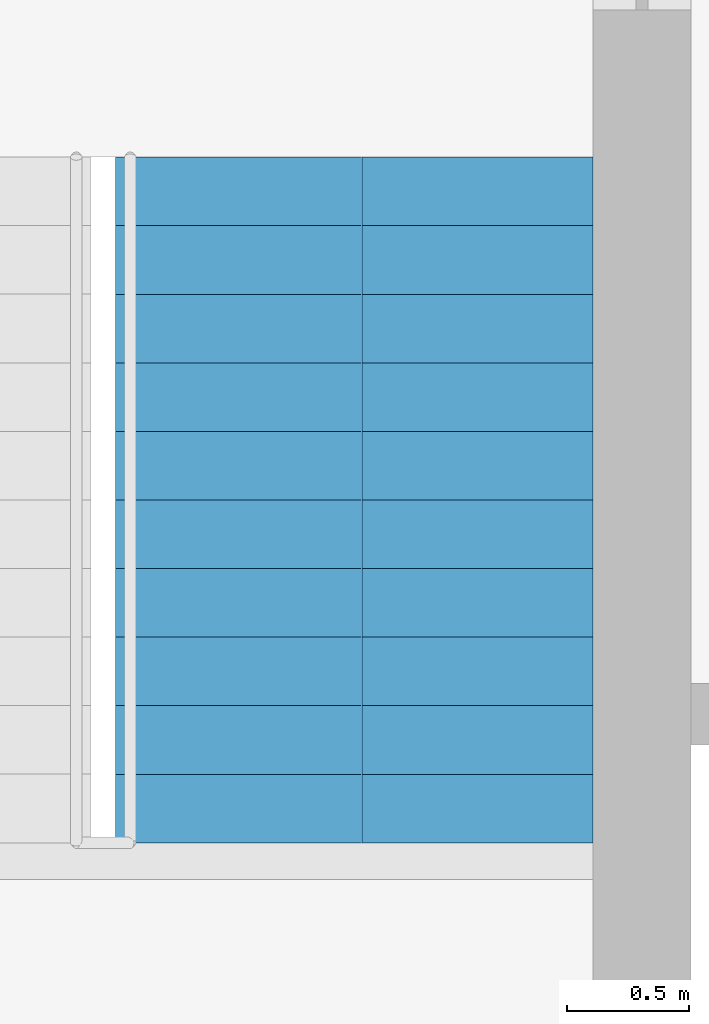
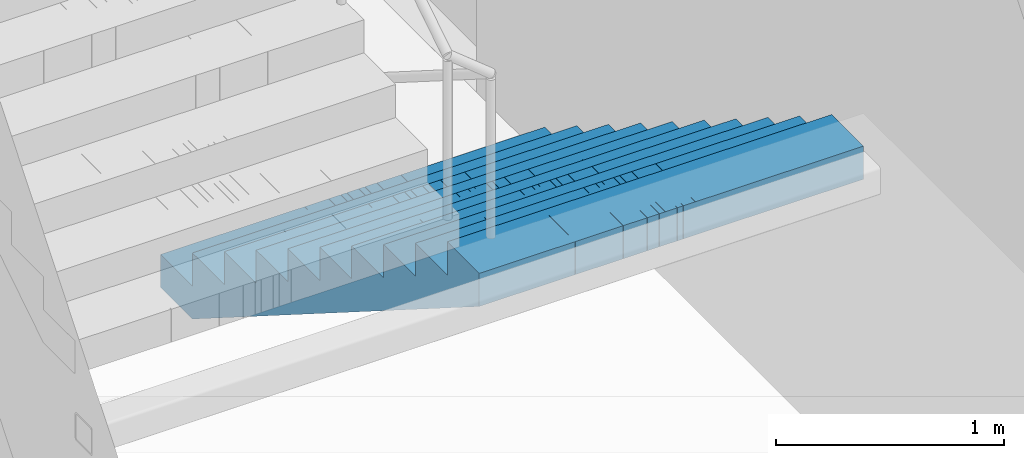
# One storey, part 19 of 20: 1 stair flight, 1 element without a shape of its own.
"""IFC4 building model written with IfcOpenShell, lengths in metres."""

from ifc_helpers import new_model, si_unit, direction, frame, origin, place, context, subcontext, project, spatial, polyline, outline, extrude, material, type_object, element, aggregate, save


model = new_model("IFC4")

# Units and contexts
model_context = context("Model", 3, precision=1e-05, world=origin(), true_north=direction((0.0, 1.0)))
body_context = subcontext(model_context, "Body", "Model", "MODEL_VIEW")
ifc_project = project(units=[si_unit("LENGTHUNIT", "METRE"), si_unit("AREAUNIT", "SQUARE_METRE"), si_unit("VOLUMEUNIT", "CUBIC_METRE"), si_unit("PLANEANGLEUNIT", "RADIAN"), si_unit("MASSUNIT", "GRAM", prefix="KILO")], contexts=[model_context])

# Site, building, storey
site_placement = place(None, origin())
site = spatial("IfcSite", under=ifc_project, at=site_placement, CompositionType="ELEMENT")
building_placement = place(site_placement, origin())
building = spatial("IfcBuilding", under=site, at=building_placement, Name="Mizan Broadcast Tower", CompositionType="ELEMENT")
storey_placement = place(building_placement, frame((0.0, 0.0, 155.39990234375)))
storey = spatial("IfcBuildingStorey", under=building, at=storey_placement, Name="L35", CompositionType="ELEMENT", Elevation=155.39990234375)

# Stair, stair flight
ifc_material_1 = material(Name="Concrete C40/50", Category="concrete")
stair_type = type_object("IfcStairType", Name="EXIT STAIR", PredefinedType="HALF_TURN_STAIR", material=ifc_material_1)
stair_placement = place(storey_placement, origin())
stair = element("IfcStair", 1, at=stair_placement, inside=storey, type_object=stair_type, Name="Stair B L35", PredefinedType="HALF_TURN_STAIR")
ifc_material_2 = material(Name="Concrete C40/50", Category="concrete")
stair_flight_type = type_object("IfcStairFlightType", Name="EXIT STAIR FLIGHT", PredefinedType="STRAIGHT", material=ifc_material_2)
stair_flight_placement = place(storey_placement, frame((1.02490234375, 7.89990234375, 0.0), z_axis=(0.0, 0.0, 1.0), x_axis=(0.0, -1.0, 0.0)))
stair_flight = element("IfcStairFlight", 2, at=stair_flight_placement, type_object=stair_flight_type, Name="B flight 1", NumberOfRisers=11, NumberOfTreads=10, PredefinedType="STRAIGHT", RiserHeight=0.177272727, TreadLength=0.28, context=body_context, shape_type="SweptSolid", body=[
    extrude(outline(polyline([(0.0, 0.0), (0.0, 0.17724609375), (0.280029296875, 0.17724609375), (0.280029296875, 0.3544921875), (0.56005859375, 0.3544921875), (0.56005859375, 0.53173828125), (0.840087890625, 0.53173828125), (0.840087890625, 0.708984375), (1.1201171875, 0.708984375), (1.1201171875, 0.886474609375), (1.39990234375, 0.886474609375), (1.39990234375, 1.063720703125), (1.679931640625, 1.063720703125), (1.679931640625, 1.240966796875), (1.9599609375, 1.240966796875), (1.9599609375, 1.418212890625), (2.239990234375, 1.418212890625), (2.239990234375, 1.595458984375), (2.52001953125, 1.595458984375), (2.52001953125, 1.772705078125), (2.800048828125, 1.772705078125), (2.800048828125, 1.949951171875), (2.800048828125, 1.59521484375), (0.2802734375, 0.0), (0.0, 0.0)])), frame((0.0, 0.97509765625, 0.0), z_axis=(0.0, -1.0, 0.0), x_axis=(1.0, 0.0, 0.0)), (0.0, 0.0, 1.0), 0.4873046875),
    extrude(outline(polyline([(0.0, 0.0), (0.0, 0.17724609375), (0.280029296875, 0.17724609375), (0.280029296875, 0.3544921875), (0.56005859375, 0.3544921875), (0.56005859375, 0.53173828125), (0.840087890625, 0.53173828125), (0.840087890625, 0.708984375), (1.1201171875, 0.708984375), (1.1201171875, 0.886474609375), (1.39990234375, 0.886474609375), (1.39990234375, 1.063720703125), (1.679931640625, 1.063720703125), (1.679931640625, 1.240966796875), (1.9599609375, 1.240966796875), (1.9599609375, 1.418212890625), (2.239990234375, 1.418212890625), (2.239990234375, 1.595458984375), (2.52001953125, 1.595458984375), (2.52001953125, 1.772705078125), (2.800048828125, 1.772705078125), (2.800048828125, 1.949951171875), (2.800048828125, 1.59521484375), (0.2802734375, 0.0), (0.0, 0.0)])), frame((0.0, 0.4873046875, 0.0), z_axis=(0.0, -1.0, 0.0), x_axis=(1.0, 0.0, 0.0)), (0.0, 0.0, 1.0), 0.2431640625),
    extrude(outline(polyline([(0.0, 0.0), (0.0, 0.17724609375), (0.280029296875, 0.17724609375), (0.280029296875, 0.3544921875), (0.56005859375, 0.3544921875), (0.56005859375, 0.53173828125), (0.840087890625, 0.53173828125), (0.840087890625, 0.708984375), (1.1201171875, 0.708984375), (1.1201171875, 0.886474609375), (1.39990234375, 0.886474609375), (1.39990234375, 1.063720703125), (1.679931640625, 1.063720703125), (1.679931640625, 1.240966796875), (1.9599609375, 1.240966796875), (1.9599609375, 1.418212890625), (2.239990234375, 1.418212890625), (2.239990234375, 1.595458984375), (2.52001953125, 1.595458984375), (2.52001953125, 1.772705078125), (2.800048828125, 1.772705078125), (2.800048828125, 1.949951171875), (2.800048828125, 1.59521484375), (0.2802734375, 0.0), (0.0, 0.0)])), frame((0.0, 0.24365234375, 0.0), z_axis=(0.0, -1.0, 0.0), x_axis=(1.0, 0.0, 0.0)), (0.0, 0.0, 1.0), 0.121337890625),
    extrude(outline(polyline([(0.0, 0.0), (0.0, 0.17724609375), (0.280029296875, 0.17724609375), (0.280029296875, 0.3544921875), (0.56005859375, 0.3544921875), (0.56005859375, 0.53173828125), (0.840087890625, 0.53173828125), (0.840087890625, 0.708984375), (1.1201171875, 0.708984375), (1.1201171875, 0.886474609375), (1.39990234375, 0.886474609375), (1.39990234375, 1.063720703125), (1.679931640625, 1.063720703125), (1.679931640625, 1.240966796875), (1.9599609375, 1.240966796875), (1.9599609375, 1.418212890625), (2.239990234375, 1.418212890625), (2.239990234375, 1.595458984375), (2.52001953125, 1.595458984375), (2.52001953125, 1.772705078125), (2.800048828125, 1.772705078125), (2.800048828125, 1.949951171875), (2.800048828125, 1.59521484375), (0.2802734375, 0.0), (0.0, 0.0)])), frame((0.0, 0.121826171875, 0.0), z_axis=(0.0, -1.0, 0.0), x_axis=(1.0, 0.0, 0.0)), (0.0, 0.0, 1.0), 0.060546875),
    extrude(outline(polyline([(0.0, 0.0), (0.0, 0.17724609375), (0.280029296875, 0.17724609375), (0.280029296875, 0.3544921875), (0.56005859375, 0.3544921875), (0.56005859375, 0.53173828125), (0.840087890625, 0.53173828125), (0.840087890625, 0.708984375), (1.1201171875, 0.708984375), (1.1201171875, 0.886474609375), (1.39990234375, 0.886474609375), (1.39990234375, 1.063720703125), (1.679931640625, 1.063720703125), (1.679931640625, 1.240966796875), (1.9599609375, 1.240966796875), (1.9599609375, 1.418212890625), (2.239990234375, 1.418212890625), (2.239990234375, 1.595458984375), (2.52001953125, 1.595458984375), (2.52001953125, 1.772705078125), (2.800048828125, 1.772705078125), (2.800048828125, 1.949951171875), (2.800048828125, 1.59521484375), (0.2802734375, 0.0), (0.0, 0.0)])), frame((0.0, 0.060791015625, 0.0), z_axis=(0.0, -1.0, 0.0), x_axis=(1.0, 0.0, 0.0)), (0.0, 0.0, 1.0), 0.030029296875),
    extrude(outline(polyline([(0.0, 0.0), (0.0, 0.17724609375), (0.280029296875, 0.17724609375), (0.280029296875, 0.3544921875), (0.56005859375, 0.3544921875), (0.56005859375, 0.53173828125), (0.840087890625, 0.53173828125), (0.840087890625, 0.708984375), (1.1201171875, 0.708984375), (1.1201171875, 0.886474609375), (1.39990234375, 0.886474609375), (1.39990234375, 1.063720703125), (1.679931640625, 1.063720703125), (1.679931640625, 1.240966796875), (1.9599609375, 1.240966796875), (1.9599609375, 1.418212890625), (2.239990234375, 1.418212890625), (2.239990234375, 1.595458984375), (2.52001953125, 1.595458984375), (2.52001953125, 1.772705078125), (2.800048828125, 1.772705078125), (2.800048828125, 1.949951171875), (2.800048828125, 1.59521484375), (0.2802734375, 0.0), (0.0, 0.0)])), frame((0.0, 0.0302734375, 0.0), z_axis=(0.0, -1.0, 0.0), x_axis=(1.0, 0.0, 0.0)), (0.0, 0.0, 1.0), 0.060302734375),
    extrude(outline(polyline([(0.0, 0.0), (0.0, 0.17724609375), (0.280029296875, 0.17724609375), (0.280029296875, 0.3544921875), (0.56005859375, 0.3544921875), (0.56005859375, 0.53173828125), (0.840087890625, 0.53173828125), (0.840087890625, 0.708984375), (1.1201171875, 0.708984375), (1.1201171875, 0.886474609375), (1.39990234375, 0.886474609375), (1.39990234375, 1.063720703125), (1.679931640625, 1.063720703125), (1.679931640625, 1.240966796875), (1.9599609375, 1.240966796875), (1.9599609375, 1.418212890625), (2.239990234375, 1.418212890625), (2.239990234375, 1.595458984375), (2.52001953125, 1.595458984375), (2.52001953125, 1.772705078125), (2.800048828125, 1.772705078125), (2.800048828125, 1.949951171875), (2.800048828125, 1.59521484375), (0.2802734375, 0.0), (0.0, 0.0)])), frame((0.0, -0.030517578125, 0.0), z_axis=(0.0, -1.0, 0.0), x_axis=(1.0, 0.0, 0.0)), (0.0, 0.0, 1.0), 0.030029296875),
    extrude(outline(polyline([(0.0, 0.0), (0.0, 0.17724609375), (0.280029296875, 0.17724609375), (0.280029296875, 0.3544921875), (0.56005859375, 0.3544921875), (0.56005859375, 0.53173828125), (0.840087890625, 0.53173828125), (0.840087890625, 0.708984375), (1.1201171875, 0.708984375), (1.1201171875, 0.886474609375), (1.39990234375, 0.886474609375), (1.39990234375, 1.063720703125), (1.679931640625, 1.063720703125), (1.679931640625, 1.240966796875), (1.9599609375, 1.240966796875), (1.9599609375, 1.418212890625), (2.239990234375, 1.418212890625), (2.239990234375, 1.595458984375), (2.52001953125, 1.595458984375), (2.52001953125, 1.772705078125), (2.800048828125, 1.772705078125), (2.800048828125, 1.949951171875), (2.800048828125, 1.59521484375), (0.2802734375, 0.0), (0.0, 0.0)])), frame((0.0, -0.06103515625, 0.0), z_axis=(0.0, -1.0, 0.0), x_axis=(1.0, 0.0, 0.0)), (0.0, 0.0, 1.0), 0.060546875),
    extrude(outline(polyline([(0.0, 0.0), (0.0, 0.17724609375), (0.280029296875, 0.17724609375), (0.280029296875, 0.3544921875), (0.56005859375, 0.3544921875), (0.56005859375, 0.53173828125), (0.840087890625, 0.53173828125), (0.840087890625, 0.708984375), (1.1201171875, 0.708984375), (1.1201171875, 0.886474609375), (1.39990234375, 0.886474609375), (1.39990234375, 1.063720703125), (1.679931640625, 1.063720703125), (1.679931640625, 1.240966796875), (1.9599609375, 1.240966796875), (1.9599609375, 1.418212890625), (2.239990234375, 1.418212890625), (2.239990234375, 1.595458984375), (2.52001953125, 1.595458984375), (2.52001953125, 1.772705078125), (2.800048828125, 1.772705078125), (2.800048828125, 1.949951171875), (2.800048828125, 1.59521484375), (0.2802734375, 0.0), (0.0, 0.0)])), frame((0.0, -0.1220703125, 0.0), z_axis=(0.0, -1.0, 0.0), x_axis=(1.0, 0.0, 0.0)), (0.0, 0.0, 1.0), 0.121337890625),
    extrude(outline(polyline([(0.0, 0.0), (0.0, 0.17724609375), (0.280029296875, 0.17724609375), (0.280029296875, 0.3544921875), (0.56005859375, 0.3544921875), (0.56005859375, 0.53173828125), (0.840087890625, 0.53173828125), (0.840087890625, 0.708984375), (1.1201171875, 0.708984375), (1.1201171875, 0.886474609375), (1.39990234375, 0.886474609375), (1.39990234375, 1.063720703125), (1.679931640625, 1.063720703125), (1.679931640625, 1.240966796875), (1.9599609375, 1.240966796875), (1.9599609375, 1.418212890625), (2.239990234375, 1.418212890625), (2.239990234375, 1.595458984375), (2.52001953125, 1.595458984375), (2.52001953125, 1.772705078125), (2.800048828125, 1.772705078125), (2.800048828125, 1.949951171875), (2.800048828125, 1.59521484375), (0.2802734375, 0.0), (0.0, 0.0)])), frame((0.0, -0.243896484375, 0.0), z_axis=(0.0, -1.0, 0.0), x_axis=(1.0, 0.0, 0.0)), (0.0, 0.0, 1.0), 0.2431640625),
    extrude(outline(polyline([(0.0, 0.0), (0.0, 0.17724609375), (0.280029296875, 0.17724609375), (0.280029296875, 0.3544921875), (0.56005859375, 0.3544921875), (0.56005859375, 0.53173828125), (0.840087890625, 0.53173828125), (0.840087890625, 0.708984375), (1.1201171875, 0.708984375), (1.1201171875, 0.886474609375), (1.39990234375, 0.886474609375), (1.39990234375, 1.063720703125), (1.679931640625, 1.063720703125), (1.679931640625, 1.240966796875), (1.9599609375, 1.240966796875), (1.9599609375, 1.418212890625), (2.239990234375, 1.418212890625), (2.239990234375, 1.595458984375), (2.52001953125, 1.595458984375), (2.52001953125, 1.772705078125), (2.800048828125, 1.772705078125), (2.800048828125, 1.949951171875), (2.800048828125, 1.59521484375), (0.2802734375, 0.0), (0.0, 0.0)])), frame((0.0, -0.487548828125, 0.0), z_axis=(0.0, -1.0, 0.0), x_axis=(1.0, 0.0, 0.0)), (0.0, 0.0, 1.0), 0.4873046875),
])
aggregate(stair, [stair_flight])

save(model, "model.ifc")
